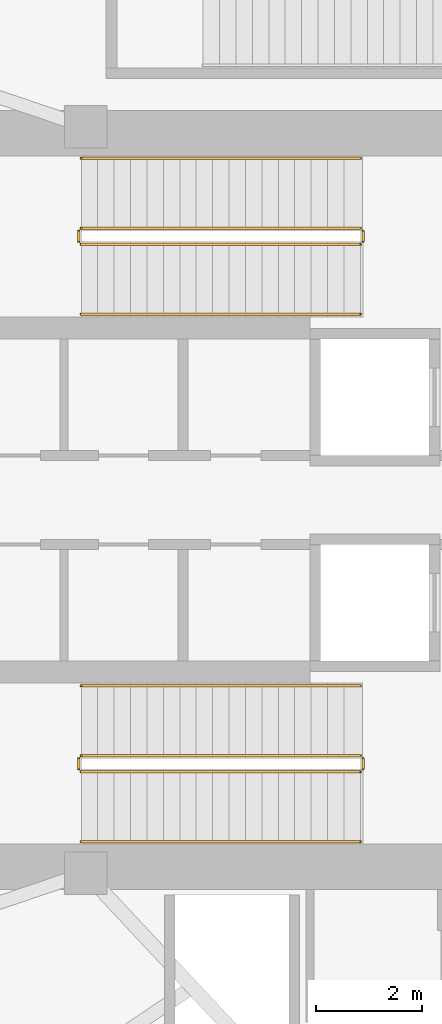
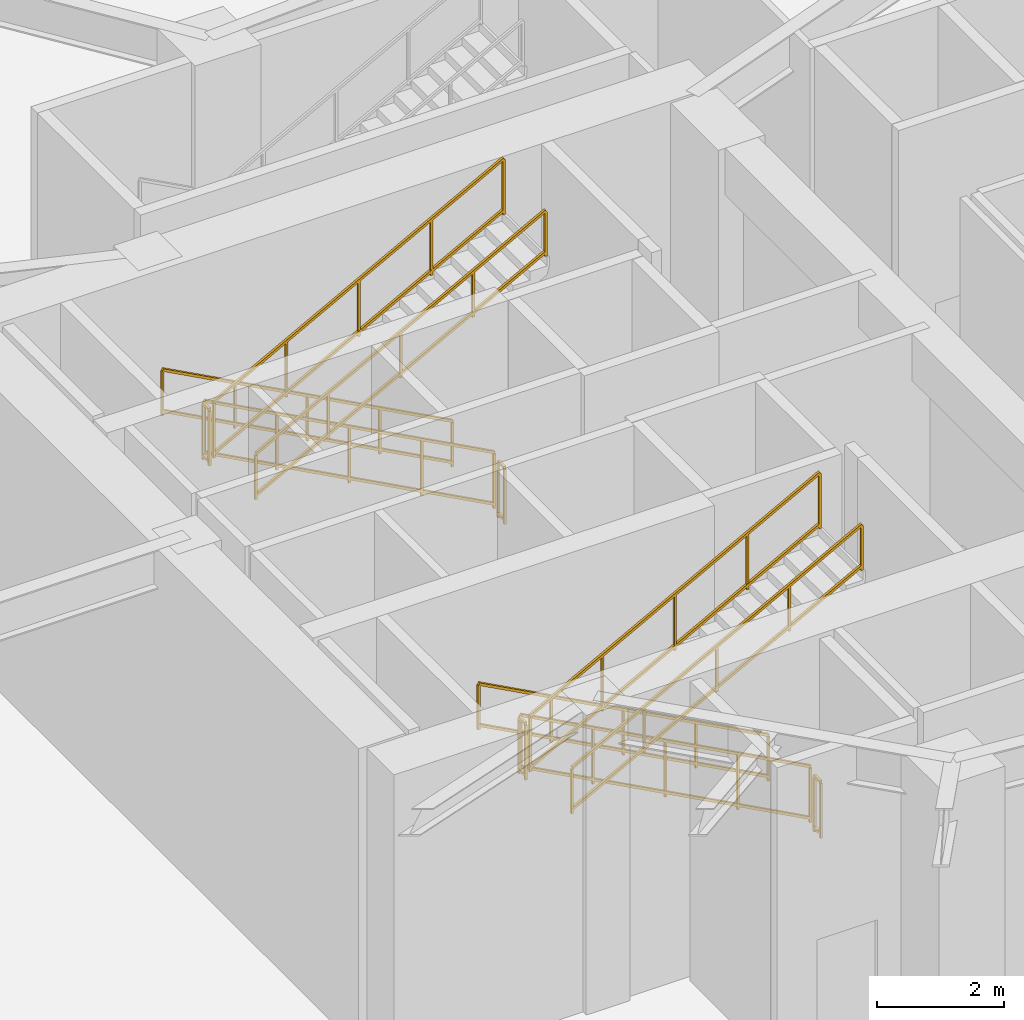
# One storey, part 22 of 25: 12 railings.
"""IFC4 building model written with IfcOpenShell, lengths in metres."""

from ifc_helpers import new_model, si_unit, direction, frame, origin, origin_2d, place, context, subcontext, project, spatial, rectangle, extrude, material, type_object, element, save


model = new_model("IFC4")

# Units and contexts
model_context = context("Model", 3, precision=1e-05, world=origin(), true_north=direction((0.0, 1.0)))
body_context = subcontext(model_context, "Body", "Model", "MODEL_VIEW")
ifc_project = project(units=[si_unit("LENGTHUNIT", "METRE"), si_unit("AREAUNIT", "SQUARE_METRE"), si_unit("VOLUMEUNIT", "CUBIC_METRE"), si_unit("PLANEANGLEUNIT", "RADIAN"), si_unit("MASSUNIT", "GRAM", prefix="KILO")], contexts=[model_context])

# Site, building, storey
site_placement = place(None, origin())
site = spatial("IfcSite", under=ifc_project, at=site_placement, CompositionType="ELEMENT")
building_placement = place(site_placement, origin())
building = spatial("IfcBuilding", under=site, at=building_placement, Name="Kolvaren Gate Tower and Convention Centre", CompositionType="ELEMENT")
storey_placement = place(building_placement, frame((0.0, 0.0, 15.0)))
storey = spatial("IfcBuildingStorey", under=building, at=storey_placement, Name="L03", CompositionType="ELEMENT", Elevation=15.0)

# Railings
ifc_material = material(Name="Brushed Stainless Steel Grade 316L", Category="steel")
railing_type_1 = type_object("IfcRailingType", Name="ARCH-RL-GUARD-1150", PredefinedType="GUARDRAIL", material=ifc_material)
railing_1_placement = place(storey_placement, frame((23.10009765625, 32.1298828125, 0.166748046875)))
element("IfcRailing", 1, at=railing_1_placement, inside=storey, type_object=railing_type_1, Name="L03 ST-T1 stair guard 1", PredefinedType="GUARDRAIL", context=body_context, shape_type="SweptSolid", body=[
    extrude(rectangle(XDim=0.048095703125, YDim=0.048095703125, at=origin_2d()), frame((0.0, 0.0, 1.076171875), z_axis=(-0.88078142842, 0.0, 0.473523046271), x_axis=(0.0, -1.0, 0.0)), (0.0, 0.0, 1.0), 5.9833984375),
    extrude(rectangle(XDim=0.048095703125, YDim=0.048095703125, at=origin_2d()), frame((0.0, 0.0, 0.083984375), z_axis=(-0.88078142842, 0.0, 0.473523046271), x_axis=(0.0, -1.0, 0.0)), (0.0, 0.0, 1.0), 5.9833984375),
    extrude(rectangle(XDim=0.0419921875, YDim=0.0419921875, at=origin_2d()), origin(), (0.0, 0.0, 1.0), 1.050048828125),
    extrude(rectangle(XDim=0.0419921875, YDim=0.0419921875, at=origin_2d()), frame((-5.27001953125, 0.0, 2.833251953125)), (0.0, 0.0, 1.0), 1.050048828125),
    extrude(rectangle(XDim=0.0419921875, YDim=0.0419921875, at=origin_2d()), frame((-1.3173828125, 0.0, 0.708251953125)), (0.0, 0.0, 1.0), 1.050048828125),
    extrude(rectangle(XDim=0.0419921875, YDim=0.0419921875, at=origin_2d()), frame((-2.635009765625, 0.0, 1.41650390625)), (0.0, 0.0, 1.0), 1.050048828125),
    extrude(rectangle(XDim=0.0419921875, YDim=0.0419921875, at=origin_2d()), frame((-3.95263671875, 0.0, 2.125)), (0.0, 0.0, 1.0), 1.050048828125),
])
railing_2_placement = place(storey_placement, frame((17.780029296875, 32.080078125, 3.0)))
element("IfcRailing", 2, at=railing_2_placement, inside=storey, type_object=railing_type_1, Name="L03 ST-T1 stair guard 2", PredefinedType="GUARDRAIL", context=body_context, shape_type="SweptSolid", body=[
    extrude(rectangle(XDim=0.048095703125, YDim=0.048095703125, at=origin_2d()), frame((0.0, 0.0, 1.076171875), z_axis=(0.0, -1.0, 0.0), x_axis=(1.0, 0.0, 0.0)), (0.0, 0.0, 1.0), 0.2001953125),
    extrude(rectangle(XDim=0.048095703125, YDim=0.048095703125, at=origin_2d()), frame((0.0, 0.0, 0.083984375), z_axis=(0.0, -1.0, 0.0), x_axis=(1.0, 0.0, 0.0)), (0.0, 0.0, 1.0), 0.2001953125),
    extrude(rectangle(XDim=0.0419921875, YDim=0.0419921875, at=origin_2d()), origin(), (0.0, 0.0, 1.0), 1.050048828125),
    extrude(rectangle(XDim=0.0419921875, YDim=0.0419921875, at=origin_2d()), frame((0.0, -0.2001953125, 0.0)), (0.0, 0.0, 1.0), 1.050048828125),
])
railing_3_placement = place(storey_placement, frame((17.830078125, 31.830078125, 3.166748046875)))
element("IfcRailing", 3, at=railing_3_placement, inside=storey, type_object=railing_type_1, Name="L03 ST-T1 stair guard 3", PredefinedType="GUARDRAIL", context=body_context, shape_type="SweptSolid", body=[
    extrude(rectangle(XDim=0.048095703125, YDim=0.048095703125, at=origin_2d()), frame((0.0, 0.0, 1.076171875), z_axis=(0.88078142842, 0.0, 0.473523046271), x_axis=(0.0, 1.0, 0.0)), (0.0, 0.0, 1.0), 5.9833984375),
    extrude(rectangle(XDim=0.048095703125, YDim=0.048095703125, at=origin_2d()), frame((0.0, 0.0, 0.083984375), z_axis=(0.88078142842, 0.0, 0.473523046271), x_axis=(0.0, 1.0, 0.0)), (0.0, 0.0, 1.0), 5.9833984375),
    extrude(rectangle(XDim=0.0419921875, YDim=0.0419921875, at=origin_2d()), origin(), (0.0, 0.0, 1.0), 1.050048828125),
    extrude(rectangle(XDim=0.0419921875, YDim=0.0419921875, at=origin_2d()), frame((5.27001953125, 0.0, 2.833251953125)), (0.0, 0.0, 1.0), 1.050048828125),
    extrude(rectangle(XDim=0.0419921875, YDim=0.0419921875, at=origin_2d()), frame((1.3173828125, 0.0, 0.708251953125)), (0.0, 0.0, 1.0), 1.050048828125),
    extrude(rectangle(XDim=0.0419921875, YDim=0.0419921875, at=origin_2d()), frame((2.635009765625, 0.0, 1.41650390625)), (0.0, 0.0, 1.0), 1.050048828125),
    extrude(rectangle(XDim=0.0419921875, YDim=0.0419921875, at=origin_2d()), frame((3.95263671875, 0.0, 2.125)), (0.0, 0.0, 1.0), 1.050048828125),
])
railing_4_placement = place(storey_placement, frame((23.14990234375, 32.080078125, 0.0)))
element("IfcRailing", 4, at=railing_4_placement, inside=storey, type_object=railing_type_1, Name="L03 ST-T1 stair guard 4", PredefinedType="GUARDRAIL", context=body_context, shape_type="SweptSolid", body=[
    extrude(rectangle(XDim=0.048095703125, YDim=0.048095703125, at=origin_2d()), frame((0.0, 0.0, 1.076171875), z_axis=(0.0, -1.0, 0.0), x_axis=(1.0, 0.0, 0.0)), (0.0, 0.0, 1.0), 0.2001953125),
    extrude(rectangle(XDim=0.048095703125, YDim=0.048095703125, at=origin_2d()), frame((0.0, 0.0, 0.083984375), z_axis=(0.0, -1.0, 0.0), x_axis=(1.0, 0.0, 0.0)), (0.0, 0.0, 1.0), 0.2001953125),
    extrude(rectangle(XDim=0.0419921875, YDim=0.0419921875, at=origin_2d()), origin(), (0.0, 0.0, 1.0), 1.050048828125),
    extrude(rectangle(XDim=0.0419921875, YDim=0.0419921875, at=origin_2d()), frame((0.0, -0.2001953125, 0.0)), (0.0, 0.0, 1.0), 1.050048828125),
])
railing_5_placement = place(storey_placement, frame((23.10009765625, 22.169921875, 0.166748046875)))
element("IfcRailing", 5, at=railing_5_placement, inside=storey, type_object=railing_type_1, Name="L03 ST-T2 stair guard 1", PredefinedType="GUARDRAIL", context=body_context, shape_type="SweptSolid", body=[
    extrude(rectangle(XDim=0.048095703125, YDim=0.048095703125, at=origin_2d()), frame((0.0, 0.0, 1.076171875), z_axis=(-0.88078142842, 0.0, 0.473523046271), x_axis=(0.0, -1.0, 0.0)), (0.0, 0.0, 1.0), 5.9833984375),
    extrude(rectangle(XDim=0.048095703125, YDim=0.048095703125, at=origin_2d()), frame((0.0, 0.0, 0.083984375), z_axis=(-0.88078142842, 0.0, 0.473523046271), x_axis=(0.0, -1.0, 0.0)), (0.0, 0.0, 1.0), 5.9833984375),
    extrude(rectangle(XDim=0.0419921875, YDim=0.0419921875, at=origin_2d()), origin(), (0.0, 0.0, 1.0), 1.050048828125),
    extrude(rectangle(XDim=0.0419921875, YDim=0.0419921875, at=origin_2d()), frame((-5.27001953125, 0.0, 2.833251953125)), (0.0, 0.0, 1.0), 1.050048828125),
    extrude(rectangle(XDim=0.0419921875, YDim=0.0419921875, at=origin_2d()), frame((-1.3173828125, 0.0, 0.708251953125)), (0.0, 0.0, 1.0), 1.050048828125),
    extrude(rectangle(XDim=0.0419921875, YDim=0.0419921875, at=origin_2d()), frame((-2.635009765625, 0.0, 1.41650390625)), (0.0, 0.0, 1.0), 1.050048828125),
    extrude(rectangle(XDim=0.0419921875, YDim=0.0419921875, at=origin_2d()), frame((-3.95263671875, 0.0, 2.125)), (0.0, 0.0, 1.0), 1.050048828125),
])
railing_6_placement = place(storey_placement, frame((17.780029296875, 22.1201171875, 3.0)))
element("IfcRailing", 6, at=railing_6_placement, inside=storey, type_object=railing_type_1, Name="L03 ST-T2 stair guard 2", PredefinedType="GUARDRAIL", context=body_context, shape_type="SweptSolid", body=[
    extrude(rectangle(XDim=0.048095703125, YDim=0.048095703125, at=origin_2d()), frame((0.0, 0.0, 1.076171875), z_axis=(0.0, -1.0, 0.0), x_axis=(1.0, 0.0, 0.0)), (0.0, 0.0, 1.0), 0.2001953125),
    extrude(rectangle(XDim=0.048095703125, YDim=0.048095703125, at=origin_2d()), frame((0.0, 0.0, 0.083984375), z_axis=(0.0, -1.0, 0.0), x_axis=(1.0, 0.0, 0.0)), (0.0, 0.0, 1.0), 0.2001953125),
    extrude(rectangle(XDim=0.0419921875, YDim=0.0419921875, at=origin_2d()), origin(), (0.0, 0.0, 1.0), 1.050048828125),
    extrude(rectangle(XDim=0.0419921875, YDim=0.0419921875, at=origin_2d()), frame((0.0, -0.2001953125, 0.0)), (0.0, 0.0, 1.0), 1.050048828125),
])
railing_7_placement = place(storey_placement, frame((17.830078125, 21.8701171875, 3.166748046875)))
element("IfcRailing", 7, at=railing_7_placement, inside=storey, type_object=railing_type_1, Name="L03 ST-T2 stair guard 3", PredefinedType="GUARDRAIL", context=body_context, shape_type="SweptSolid", body=[
    extrude(rectangle(XDim=0.048095703125, YDim=0.048095703125, at=origin_2d()), frame((0.0, 0.0, 1.076171875), z_axis=(0.88078142842, 0.0, 0.473523046271), x_axis=(0.0, 1.0, 0.0)), (0.0, 0.0, 1.0), 5.9833984375),
    extrude(rectangle(XDim=0.048095703125, YDim=0.048095703125, at=origin_2d()), frame((0.0, 0.0, 0.083984375), z_axis=(0.88078142842, 0.0, 0.473523046271), x_axis=(0.0, 1.0, 0.0)), (0.0, 0.0, 1.0), 5.9833984375),
    extrude(rectangle(XDim=0.0419921875, YDim=0.0419921875, at=origin_2d()), origin(), (0.0, 0.0, 1.0), 1.050048828125),
    extrude(rectangle(XDim=0.0419921875, YDim=0.0419921875, at=origin_2d()), frame((5.27001953125, 0.0, 2.833251953125)), (0.0, 0.0, 1.0), 1.050048828125),
    extrude(rectangle(XDim=0.0419921875, YDim=0.0419921875, at=origin_2d()), frame((1.3173828125, 0.0, 0.708251953125)), (0.0, 0.0, 1.0), 1.050048828125),
    extrude(rectangle(XDim=0.0419921875, YDim=0.0419921875, at=origin_2d()), frame((2.635009765625, 0.0, 1.41650390625)), (0.0, 0.0, 1.0), 1.050048828125),
    extrude(rectangle(XDim=0.0419921875, YDim=0.0419921875, at=origin_2d()), frame((3.95263671875, 0.0, 2.125)), (0.0, 0.0, 1.0), 1.050048828125),
])
railing_8_placement = place(storey_placement, frame((23.14990234375, 22.1201171875, 0.0)))
element("IfcRailing", 8, at=railing_8_placement, inside=storey, type_object=railing_type_1, Name="L03 ST-T2 stair guard 4", PredefinedType="GUARDRAIL", context=body_context, shape_type="SweptSolid", body=[
    extrude(rectangle(XDim=0.048095703125, YDim=0.048095703125, at=origin_2d()), frame((0.0, 0.0, 1.076171875), z_axis=(0.0, -1.0, 0.0), x_axis=(1.0, 0.0, 0.0)), (0.0, 0.0, 1.0), 0.2001953125),
    extrude(rectangle(XDim=0.048095703125, YDim=0.048095703125, at=origin_2d()), frame((0.0, 0.0, 0.083984375), z_axis=(0.0, -1.0, 0.0), x_axis=(1.0, 0.0, 0.0)), (0.0, 0.0, 1.0), 0.2001953125),
    extrude(rectangle(XDim=0.0419921875, YDim=0.0419921875, at=origin_2d()), origin(), (0.0, 0.0, 1.0), 1.050048828125),
    extrude(rectangle(XDim=0.0419921875, YDim=0.0419921875, at=origin_2d()), frame((0.0, -0.2001953125, 0.0)), (0.0, 0.0, 1.0), 1.050048828125),
])
railing_type_2 = type_object("IfcRailingType", Name="ARCH-RL-HANDRAIL-920", PredefinedType="HANDRAIL", material=ifc_material)
railing_9_placement = place(storey_placement, frame((23.10009765625, 33.449951171875, 0.166748046875)))
element("IfcRailing", 9, at=railing_9_placement, inside=storey, type_object=railing_type_2, Name="L03 ST-T1 stair handrail 1", PredefinedType="HANDRAIL", context=body_context, shape_type="SweptSolid", body=[
    extrude(rectangle(XDim=0.048095703125, YDim=0.048095703125, at=origin_2d()), frame((0.0, 0.0, 0.8759765625), z_axis=(-0.88078142842, 0.0, 0.473523046271), x_axis=(0.0, -1.0, 0.0)), (0.0, 0.0, 1.0), 5.9833984375),
    extrude(rectangle(XDim=0.048095703125, YDim=0.048095703125, at=origin_2d()), frame((0.0, 0.0, 0.083984375), z_axis=(-0.88078142842, 0.0, 0.473523046271), x_axis=(0.0, -1.0, 0.0)), (0.0, 0.0, 1.0), 5.9833984375),
    extrude(rectangle(XDim=0.0419921875, YDim=0.0419921875, at=origin_2d()), origin(), (0.0, 0.0, 1.0), 0.849853515625),
    extrude(rectangle(XDim=0.0419921875, YDim=0.0419921875, at=origin_2d()), frame((-5.27001953125, 0.0, 2.833251953125)), (0.0, 0.0, 1.0), 0.849853515625),
    extrude(rectangle(XDim=0.0419921875, YDim=0.0419921875, at=origin_2d()), frame((-1.3173828125, 0.0, 0.708251953125)), (0.0, 0.0, 1.0), 0.849853515625),
    extrude(rectangle(XDim=0.0419921875, YDim=0.0419921875, at=origin_2d()), frame((-2.635009765625, 0.0, 1.41650390625)), (0.0, 0.0, 1.0), 0.849853515625),
    extrude(rectangle(XDim=0.0419921875, YDim=0.0419921875, at=origin_2d()), frame((-3.95263671875, 0.0, 2.125)), (0.0, 0.0, 1.0), 0.849853515625),
])
railing_10_placement = place(storey_placement, frame((17.830078125, 30.510009765625, 3.166748046875)))
element("IfcRailing", 10, at=railing_10_placement, inside=storey, type_object=railing_type_2, Name="L03 ST-T1 stair handrail 2", PredefinedType="HANDRAIL", context=body_context, shape_type="SweptSolid", body=[
    extrude(rectangle(XDim=0.048095703125, YDim=0.048095703125, at=origin_2d()), frame((0.0, 0.0, 0.8759765625), z_axis=(0.88078142842, 0.0, 0.473523046271), x_axis=(0.0, 1.0, 0.0)), (0.0, 0.0, 1.0), 5.9833984375),
    extrude(rectangle(XDim=0.048095703125, YDim=0.048095703125, at=origin_2d()), frame((0.0, 0.0, 0.083984375), z_axis=(0.88078142842, 0.0, 0.473523046271), x_axis=(0.0, 1.0, 0.0)), (0.0, 0.0, 1.0), 5.9833984375),
    extrude(rectangle(XDim=0.0419921875, YDim=0.0419921875, at=origin_2d()), origin(), (0.0, 0.0, 1.0), 0.849853515625),
    extrude(rectangle(XDim=0.0419921875, YDim=0.0419921875, at=origin_2d()), frame((5.27001953125, 0.0, 2.833251953125)), (0.0, 0.0, 1.0), 0.849853515625),
    extrude(rectangle(XDim=0.0419921875, YDim=0.0419921875, at=origin_2d()), frame((1.3173828125, 0.0, 0.708251953125)), (0.0, 0.0, 1.0), 0.849853515625),
    extrude(rectangle(XDim=0.0419921875, YDim=0.0419921875, at=origin_2d()), frame((2.635009765625, 0.0, 1.41650390625)), (0.0, 0.0, 1.0), 0.849853515625),
    extrude(rectangle(XDim=0.0419921875, YDim=0.0419921875, at=origin_2d()), frame((3.95263671875, 0.0, 2.125)), (0.0, 0.0, 1.0), 0.849853515625),
])
railing_11_placement = place(storey_placement, frame((23.10009765625, 23.489990234375, 0.166748046875)))
element("IfcRailing", 11, at=railing_11_placement, inside=storey, type_object=railing_type_2, Name="L03 ST-T2 stair handrail 1", PredefinedType="HANDRAIL", context=body_context, shape_type="SweptSolid", body=[
    extrude(rectangle(XDim=0.048095703125, YDim=0.048095703125, at=origin_2d()), frame((0.0, 0.0, 0.8759765625), z_axis=(-0.88078142842, 0.0, 0.473523046271), x_axis=(0.0, -1.0, 0.0)), (0.0, 0.0, 1.0), 5.9833984375),
    extrude(rectangle(XDim=0.048095703125, YDim=0.048095703125, at=origin_2d()), frame((0.0, 0.0, 0.083984375), z_axis=(-0.88078142842, 0.0, 0.473523046271), x_axis=(0.0, -1.0, 0.0)), (0.0, 0.0, 1.0), 5.9833984375),
    extrude(rectangle(XDim=0.0419921875, YDim=0.0419921875, at=origin_2d()), origin(), (0.0, 0.0, 1.0), 0.849853515625),
    extrude(rectangle(XDim=0.0419921875, YDim=0.0419921875, at=origin_2d()), frame((-5.27001953125, 0.0, 2.833251953125)), (0.0, 0.0, 1.0), 0.849853515625),
    extrude(rectangle(XDim=0.0419921875, YDim=0.0419921875, at=origin_2d()), frame((-1.3173828125, 0.0, 0.708251953125)), (0.0, 0.0, 1.0), 0.849853515625),
    extrude(rectangle(XDim=0.0419921875, YDim=0.0419921875, at=origin_2d()), frame((-2.635009765625, 0.0, 1.41650390625)), (0.0, 0.0, 1.0), 0.849853515625),
    extrude(rectangle(XDim=0.0419921875, YDim=0.0419921875, at=origin_2d()), frame((-3.95263671875, 0.0, 2.125)), (0.0, 0.0, 1.0), 0.849853515625),
])
railing_12_placement = place(storey_placement, frame((17.830078125, 20.550048828125, 3.166748046875)))
element("IfcRailing", 12, at=railing_12_placement, inside=storey, type_object=railing_type_2, Name="L03 ST-T2 stair handrail 2", PredefinedType="HANDRAIL", context=body_context, shape_type="SweptSolid", body=[
    extrude(rectangle(XDim=0.048095703125, YDim=0.048095703125, at=origin_2d()), frame((0.0, 0.0, 0.8759765625), z_axis=(0.88078142842, 0.0, 0.473523046271), x_axis=(0.0, 1.0, 0.0)), (0.0, 0.0, 1.0), 5.9833984375),
    extrude(rectangle(XDim=0.048095703125, YDim=0.048095703125, at=origin_2d()), frame((0.0, 0.0, 0.083984375), z_axis=(0.88078142842, 0.0, 0.473523046271), x_axis=(0.0, 1.0, 0.0)), (0.0, 0.0, 1.0), 5.9833984375),
    extrude(rectangle(XDim=0.0419921875, YDim=0.0419921875, at=origin_2d()), origin(), (0.0, 0.0, 1.0), 0.849853515625),
    extrude(rectangle(XDim=0.0419921875, YDim=0.0419921875, at=origin_2d()), frame((5.27001953125, 0.0, 2.833251953125)), (0.0, 0.0, 1.0), 0.849853515625),
    extrude(rectangle(XDim=0.0419921875, YDim=0.0419921875, at=origin_2d()), frame((1.3173828125, 0.0, 0.708251953125)), (0.0, 0.0, 1.0), 0.849853515625),
    extrude(rectangle(XDim=0.0419921875, YDim=0.0419921875, at=origin_2d()), frame((2.635009765625, 0.0, 1.41650390625)), (0.0, 0.0, 1.0), 0.849853515625),
    extrude(rectangle(XDim=0.0419921875, YDim=0.0419921875, at=origin_2d()), frame((3.95263671875, 0.0, 2.125)), (0.0, 0.0, 1.0), 0.849853515625),
])

save(model, "model.ifc")
